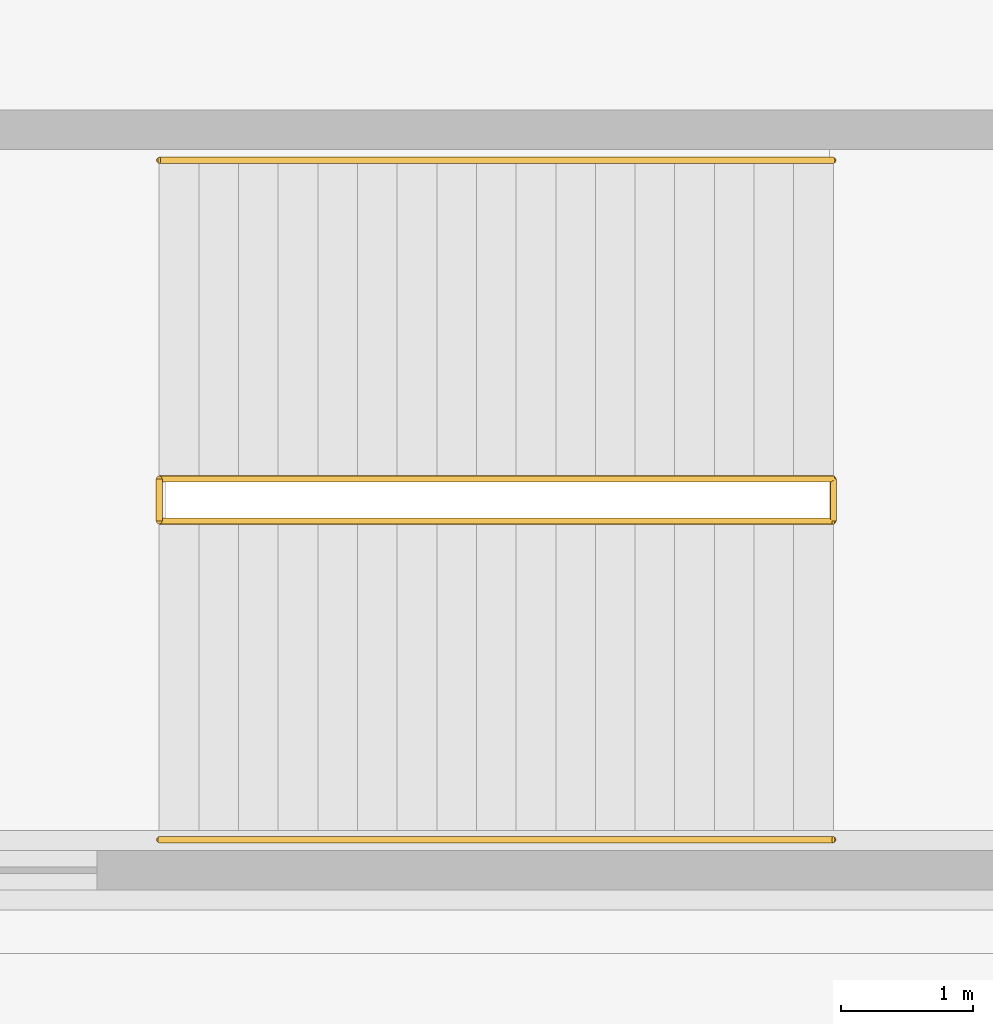
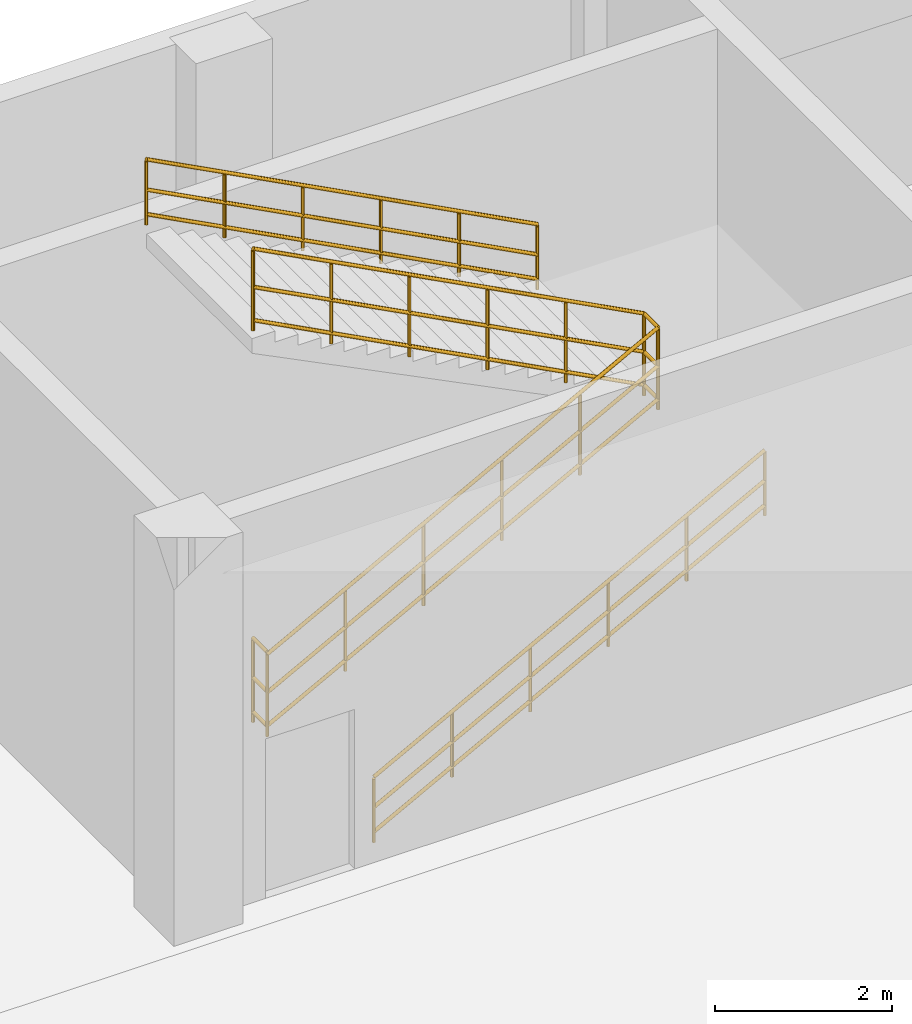
# One storey, part 123 of 124: 4 railings.
"""IFC4 building model written with IfcOpenShell, lengths in metres."""

from ifc_helpers import new_model, si_unit, direction, frame, origin, origin_2d, place, context, subcontext, project, spatial, circle, extrude, material, type_object, element, save


model = new_model("IFC4")

# Units and contexts
model_context = context("Model", 3, precision=1e-05, world=origin(), true_north=direction((0.0, 1.0)))
body_context = subcontext(model_context, "Body", "Model", "MODEL_VIEW")
ifc_project = project(units=[si_unit("LENGTHUNIT", "METRE"), si_unit("AREAUNIT", "SQUARE_METRE"), si_unit("VOLUMEUNIT", "CUBIC_METRE"), si_unit("PLANEANGLEUNIT", "RADIAN"), si_unit("MASSUNIT", "GRAM", prefix="KILO")], contexts=[model_context])

# Site, building, storey
site_placement = place(None, origin())
site = spatial("IfcSite", under=ifc_project, at=site_placement, CompositionType="ELEMENT")
building_placement = place(site_placement, origin())
building = spatial("IfcBuilding", under=site, at=building_placement, Name="Brelvane Convention Centre", CompositionType="ELEMENT")
storey_placement = place(building_placement, origin())
storey = spatial("IfcBuildingStorey", under=building, at=storey_placement, Name="L00", CompositionType="ELEMENT", Elevation=0.0)

# Railings
ifc_material_1 = material(Name="Steel E350 (350 MPa)", Category="steel")
railing_type_1 = type_object("IfcRailingType", Name="Stair Railing GR-ST-1", PredefinedType="GUARDRAIL", material=ifc_material_1)
railing_1_placement = place(storey_placement, frame((94.35009765625, 138.239990234375, -0.02001953125)))
element("IfcRailing", 1, at=railing_1_placement, inside=storey, type_object=railing_type_1, Name="Stair ST-12 L00 Inner Well Guard", PredefinedType="GUARDRAIL", context=body_context, shape_type="SweptSolid", body=[
    extrude(circle(Radius=0.02392578125, at=origin_2d()), frame((0.0, 0.0, 1.1259765625), z_axis=(0.88234943334, 0.0, 0.470594812429), x_axis=(0.0, 1.0, 0.0)), (0.0, 0.0, 1.0), 5.77978515625),
    extrude(circle(Radius=0.02392578125, at=origin_2d()), frame((0.0, 0.0, 0.597900390625), z_axis=(0.88234943334, 0.0, 0.470594812429), x_axis=(0.0, 1.0, 0.0)), (0.0, 0.0, 1.0), 5.77978515625),
    extrude(circle(Radius=0.02392578125, at=origin_2d()), frame((0.0, 0.0, 0.139892578125), z_axis=(0.88234943334, 0.0, 0.470594812429), x_axis=(0.0, 1.0, 0.0)), (0.0, 0.0, 1.0), 5.77978515625),
    extrude(circle(Radius=0.02392578125, at=origin_2d()), frame((5.099853515625, 0.0, 3.845947265625), z_axis=(0.0, 1.0, 0.0), x_axis=(-1.0, 0.0, 0.0)), (0.0, 0.0, 1.0), 0.320068359375),
    extrude(circle(Radius=0.02392578125, at=origin_2d()), frame((5.099853515625, 0.0, 3.31787109375), z_axis=(0.0, 1.0, 0.0), x_axis=(-1.0, 0.0, 0.0)), (0.0, 0.0, 1.0), 0.320068359375),
    extrude(circle(Radius=0.02392578125, at=origin_2d()), frame((5.099853515625, 0.0, 2.85986328125), z_axis=(0.0, 1.0, 0.0), x_axis=(-1.0, 0.0, 0.0)), (0.0, 0.0, 1.0), 0.320068359375),
    extrude(circle(Radius=0.02392578125, at=origin_2d()), frame((5.099853515625, 0.320068359375, 3.845947265625), z_axis=(-0.885218631674, 0.0, 0.465175207999), x_axis=(0.0, -1.0, 0.0)), (0.0, 0.0, 1.0), 5.76123046875),
    extrude(circle(Radius=0.02392578125, at=origin_2d()), frame((5.099853515625, 0.320068359375, 3.31787109375), z_axis=(-0.885218631674, 0.0, 0.465175207999), x_axis=(0.0, -1.0, 0.0)), (0.0, 0.0, 1.0), 5.76123046875),
    extrude(circle(Radius=0.02392578125, at=origin_2d()), frame((5.099853515625, 0.320068359375, 2.85986328125), z_axis=(-0.885218631674, 0.0, 0.465175207999), x_axis=(0.0, -1.0, 0.0)), (0.0, 0.0, 1.0), 5.76123046875),
    extrude(circle(Radius=0.02099609375, at=origin_2d()), origin(), (0.0, 0.0, 1.0), 1.101806640625),
    extrude(circle(Radius=0.02099609375, at=origin_2d()), frame((1.02001953125, 0.0, 0.5439453125)), (0.0, 0.0, 1.0), 1.101806640625),
    extrude(circle(Radius=0.02099609375, at=origin_2d()), frame((2.0400390625, 0.0, 1.087890625)), (0.0, 0.0, 1.0), 1.101806640625),
    extrude(circle(Radius=0.02099609375, at=origin_2d()), frame((3.059814453125, 0.0, 1.632080078125)), (0.0, 0.0, 1.0), 1.101806640625),
    extrude(circle(Radius=0.02099609375, at=origin_2d()), frame((4.079833984375, 0.0, 2.176025390625)), (0.0, 0.0, 1.0), 1.101806640625),
    extrude(circle(Radius=0.02099609375, at=origin_2d()), frame((5.099853515625, 0.0, 2.719970703125)), (0.0, 0.0, 1.0), 1.101806640625),
    extrude(circle(Radius=0.02099609375, at=origin_2d()), frame((5.099853515625, 0.320068359375, 2.719970703125)), (0.0, 0.0, 1.0), 1.101806640625),
    extrude(circle(Radius=0.02099609375, at=origin_2d()), frame((4.079833984375, 0.320068359375, 3.255859375)), (0.0, 0.0, 1.0), 1.101806640625),
    extrude(circle(Radius=0.02099609375, at=origin_2d()), frame((3.059814453125, 0.320068359375, 3.7919921875)), (0.0, 0.0, 1.0), 1.101806640625),
    extrude(circle(Radius=0.02099609375, at=origin_2d()), frame((2.0400390625, 0.320068359375, 4.327880859375)), (0.0, 0.0, 1.0), 1.101806640625),
    extrude(circle(Radius=0.02099609375, at=origin_2d()), frame((1.02001953125, 0.320068359375, 4.864013671875)), (0.0, 0.0, 1.0), 1.101806640625),
    extrude(circle(Radius=0.02099609375, at=origin_2d()), frame((0.0, 0.320068359375, 5.39990234375)), (0.0, 0.0, 1.0), 1.101806640625),
])
ifc_material_2 = material(Name="Steel E350 (350 MPa)", Category="steel")
railing_type_2 = type_object("IfcRailingType", Name="Stair Railing GR-ST-2", PredefinedType="GUARDRAIL", material=ifc_material_2)
railing_2_placement = place(storey_placement, frame((94.35009765625, 138.239990234375, -0.02001953125)))
element("IfcRailing", 2, at=railing_2_placement, inside=storey, type_object=railing_type_2, Name="Stair ST-12 L00 Landing Well Guard", PredefinedType="GUARDRAIL", context=body_context, shape_type="SweptSolid", body=[
    extrude(circle(Radius=0.02392578125, at=origin_2d()), frame((0.0, 0.0, 1.15576171875), z_axis=(0.0, 1.0, 0.0), x_axis=(-1.0, 0.0, 0.0)), (0.0, 0.0, 1.0), 0.320068359375),
    extrude(circle(Radius=0.02392578125, at=origin_2d()), frame((0.0, 0.0, 0.613525390625), z_axis=(0.0, 1.0, 0.0), x_axis=(-1.0, 0.0, 0.0)), (0.0, 0.0, 1.0), 0.320068359375),
    extrude(circle(Radius=0.02392578125, at=origin_2d()), frame((0.0, 0.0, 0.139892578125), z_axis=(0.0, 1.0, 0.0), x_axis=(-1.0, 0.0, 0.0)), (0.0, 0.0, 1.0), 0.320068359375),
    extrude(circle(Radius=0.02099609375, at=origin_2d()), origin(), (0.0, 0.0, 1.0), 1.1318359375),
    extrude(circle(Radius=0.02099609375, at=origin_2d()), frame((0.0, 0.320068359375, 0.0)), (0.0, 0.0, 1.0), 1.1318359375),
])
ifc_material_3 = material(Name="Steel E350 (350 MPa)", Category="steel")
railing_type_3 = type_object("IfcRailingType", Name="Stair Railing HR-ST-1", PredefinedType="HANDRAIL", material=ifc_material_3)
railing_3_placement = place(storey_placement, frame((94.35009765625, 135.830078125, -0.02001953125)))
element("IfcRailing", 3, at=railing_3_placement, inside=storey, type_object=railing_type_3, Name="Stair ST-12 L00 Outer Handrail F1", PredefinedType="HANDRAIL", context=body_context, shape_type="SweptSolid", body=[
    extrude(circle(Radius=0.02392578125, at=origin_2d()), frame((0.0, 0.0, 0.89599609375), z_axis=(0.88234943334, 0.0, 0.470594812429), x_axis=(0.0, 1.0, 0.0)), (0.0, 0.0, 1.0), 5.77978515625),
    extrude(circle(Radius=0.02392578125, at=origin_2d()), frame((0.0, 0.0, 0.478271484375), z_axis=(0.88234943334, 0.0, 0.470594812429), x_axis=(0.0, 1.0, 0.0)), (0.0, 0.0, 1.0), 5.77978515625),
    extrude(circle(Radius=0.02392578125, at=origin_2d()), frame((0.0, 0.0, 0.139892578125), z_axis=(0.88234943334, 0.0, 0.470594812429), x_axis=(0.0, 1.0, 0.0)), (0.0, 0.0, 1.0), 5.77978515625),
    extrude(circle(Radius=0.02099609375, at=origin_2d()), origin(), (0.0, 0.0, 1.0), 0.871826171875),
    extrude(circle(Radius=0.02099609375, at=origin_2d()), frame((1.02001953125, 0.0, 0.5439453125)), (0.0, 0.0, 1.0), 0.871826171875),
    extrude(circle(Radius=0.02099609375, at=origin_2d()), frame((2.0400390625, 0.0, 1.087890625)), (0.0, 0.0, 1.0), 0.871826171875),
    extrude(circle(Radius=0.02099609375, at=origin_2d()), frame((3.059814453125, 0.0, 1.632080078125)), (0.0, 0.0, 1.0), 0.871826171875),
    extrude(circle(Radius=0.02099609375, at=origin_2d()), frame((4.079833984375, 0.0, 2.176025390625)), (0.0, 0.0, 1.0), 0.871826171875),
    extrude(circle(Radius=0.02099609375, at=origin_2d()), frame((5.099853515625, 0.0, 2.719970703125)), (0.0, 0.0, 1.0), 0.871826171875),
])
railing_4_placement = place(storey_placement, frame((99.449951171875, 140.969970703125, 2.699951171875)))
element("IfcRailing", 4, at=railing_4_placement, inside=storey, type_object=railing_type_3, Name="Stair ST-12 L00 Outer Handrail F2", PredefinedType="HANDRAIL", context=body_context, shape_type="SweptSolid", body=[
    extrude(circle(Radius=0.02392578125, at=origin_2d()), frame((0.0, 0.0, 0.89599609375), z_axis=(-0.885218631674, 0.0, 0.465175207999), x_axis=(0.0, -1.0, 0.0)), (0.0, 0.0, 1.0), 5.76123046875),
    extrude(circle(Radius=0.02392578125, at=origin_2d()), frame((0.0, 0.0, 0.478271484375), z_axis=(-0.885218631674, 0.0, 0.465175207999), x_axis=(0.0, -1.0, 0.0)), (0.0, 0.0, 1.0), 5.76123046875),
    extrude(circle(Radius=0.02392578125, at=origin_2d()), frame((0.0, 0.0, 0.139892578125), z_axis=(-0.885218631674, 0.0, 0.465175207999), x_axis=(0.0, -1.0, 0.0)), (0.0, 0.0, 1.0), 5.76123046875),
    extrude(circle(Radius=0.02099609375, at=origin_2d()), origin(), (0.0, 0.0, 1.0), 0.871826171875),
    extrude(circle(Radius=0.02099609375, at=origin_2d()), frame((-1.02001953125, 0.0, 0.535888671875)), (0.0, 0.0, 1.0), 0.871826171875),
    extrude(circle(Radius=0.02099609375, at=origin_2d()), frame((-2.0400390625, 0.0, 1.072021484375)), (0.0, 0.0, 1.0), 0.871826171875),
    extrude(circle(Radius=0.02099609375, at=origin_2d()), frame((-3.059814453125, 0.0, 1.60791015625)), (0.0, 0.0, 1.0), 0.871826171875),
    extrude(circle(Radius=0.02099609375, at=origin_2d()), frame((-4.079833984375, 0.0, 2.14404296875)), (0.0, 0.0, 1.0), 0.871826171875),
    extrude(circle(Radius=0.02099609375, at=origin_2d()), frame((-5.099853515625, 0.0, 2.679931640625)), (0.0, 0.0, 1.0), 0.871826171875),
])

save(model, "model.ifc")
